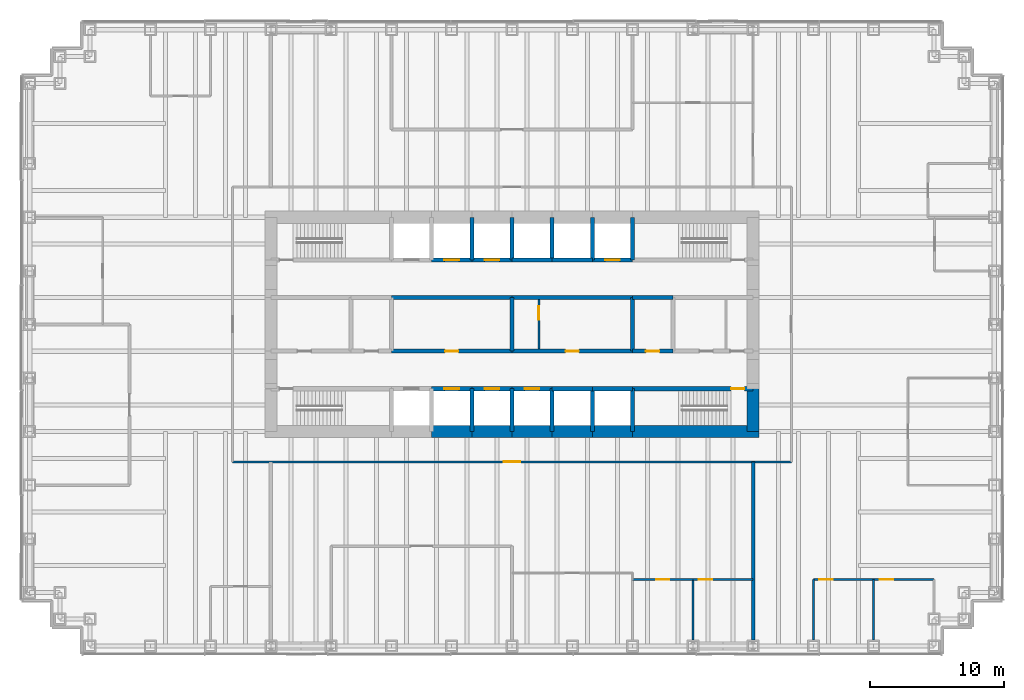
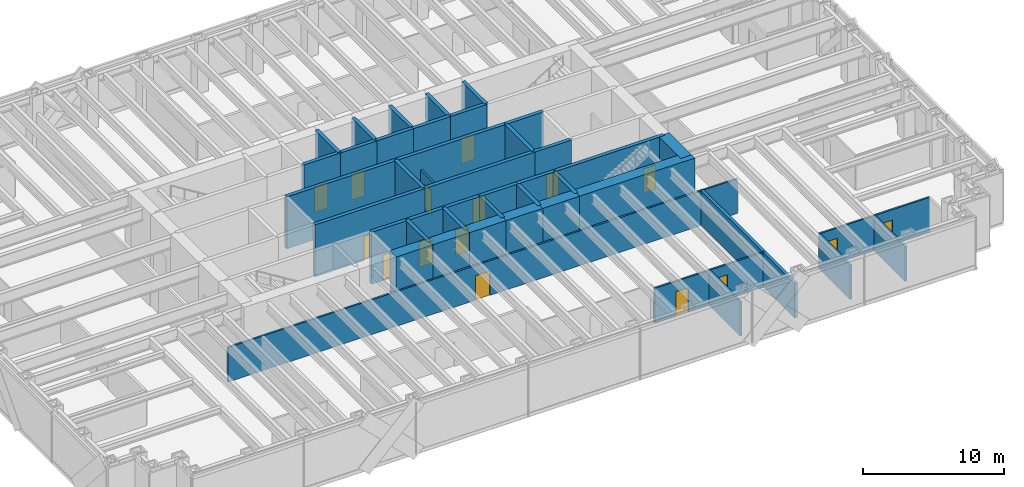
# One storey, part 10 of 13: 45 walls, 16 doors, 16 openings.
"""IFC4 building model written with IfcOpenShell, lengths in metres."""

from ifc_helpers import new_model, si_unit, direction, frame, frame_2d, origin, place, context, subcontext, project, spatial, rectangle, extrude, material, layer, layer_set, type_object, element, fill, save


model = new_model("IFC4")

# Units and contexts
model_context = context("Model", 3, precision=1e-05, world=origin(), true_north=direction((0.0, 1.0)))
body_context = subcontext(model_context, "Body", "Model", "MODEL_VIEW")
ifc_project = project(units=[si_unit("LENGTHUNIT", "METRE"), si_unit("AREAUNIT", "SQUARE_METRE"), si_unit("VOLUMEUNIT", "CUBIC_METRE"), si_unit("PLANEANGLEUNIT", "RADIAN"), si_unit("MASSUNIT", "GRAM", prefix="KILO")], contexts=[model_context])

# Site, building, storey
site_placement = place(None, origin())
site = spatial("IfcSite", under=ifc_project, at=site_placement, CompositionType="ELEMENT")
building_placement = place(site_placement, origin())
building = spatial("IfcBuilding", under=site, at=building_placement, Name="Rheinbord Bourse Tower", CompositionType="ELEMENT")
storey_placement = place(building_placement, frame((0.0, 0.0, 77.0)))
storey = spatial("IfcBuildingStorey", under=building, at=storey_placement, Name="L16", CompositionType="ELEMENT", Elevation=77.0)

# Wall, opening, door
ifc_material_1 = material(Name="Concrete C50/60", Category="concrete")
ifc_layer_1 = layer(ifc_material_1, 0.300048828125)
ifc_layer_set_1 = layer_set([ifc_layer_1], Name="CORE INNER WALL 300")
wall_type_1 = type_object("IfcWallType", Name="CORE INNER WALL 300", PredefinedType="SOLIDWALL", material=ifc_layer_set_1)
wall_1_placement = place(storey_placement, frame((30.0, 19.199951171875, 0.0), z_axis=(0.0, 0.0, 1.0), x_axis=(1.0, 0.0, 0.0)))
wall_1 = element("IfcWall", 1, at=wall_1_placement, inside=storey, type_object=wall_type_1, Name="Core wall A3 L16", PredefinedType="SOLIDWALL", context=body_context, shape_type="SweptSolid", body=[
    extrude(rectangle(XDim=3.0, YDim=0.300048828125, at=frame_2d((1.5, 0.0))), origin(), (0.0, 0.0, 1.0), 4.5),
])
opening_1_placement = place(wall_1_placement, frame((0.949951171875, 0.0, 0.0)))
opening_1 = element("IfcOpeningElement", 2, at=opening_1_placement, cuts=wall_1, Name="Opening PA1", PredefinedType="OPENING", context=body_context, shape_type="SweptSolid", body=[
    extrude(rectangle(XDim=1.10009765625, YDim=2.199951171875, at=frame_2d((0.550048828125, 1.10009765625))), frame((0.0, 0.159912109375, 0.0), z_axis=(0.0, -1.0, 0.0), x_axis=(1.0, 0.0, 0.0)), (0.0, 0.0, 1.0), 0.320068359375),
])
ifc_material_2 = material(Name="Steel landing door", Category="steel")
door_type_1 = type_object("IfcDoorType", Name="LIFT LANDING DOOR 1100", OperationType="DOUBLE_DOOR_SLIDING", PredefinedType="USERDEFINED", material=ifc_material_2)
door_1_placement = place(opening_1_placement, origin())
door_1 = element("IfcDoor", 3, at=door_1_placement, inside=storey, type_object=door_type_1, Name="Lift landing door PA1 L16", ObjectType="LIFT LANDING DOOR", OperationType="DOUBLE_DOOR_SLIDING", OverallHeight=2.199951171875, OverallWidth=1.10009765625, PredefinedType="USERDEFINED", context=body_context, shape_type="SweptSolid", body=[
    extrude(rectangle(XDim=1.10009765625, YDim=2.199951171875, at=frame_2d((0.550048828125, 1.10009765625))), frame((0.0, 0.02490234375, 0.0), z_axis=(0.0, -1.0, 0.0), x_axis=(1.0, 0.0, 0.0)), (0.0, 0.0, 1.0), 0.050048828125),
])
fill(opening_1, door_1)

wall_2_placement = place(storey_placement, frame((33.0, 19.199951171875, 0.0), z_axis=(0.0, 0.0, 1.0), x_axis=(1.0, 0.0, 0.0)))
wall_2 = element("IfcWall", 4, at=wall_2_placement, inside=storey, type_object=wall_type_1, Name="Core wall A4 L16", PredefinedType="SOLIDWALL", context=body_context, shape_type="SweptSolid", body=[
    extrude(rectangle(XDim=3.0, YDim=0.300048828125, at=frame_2d((1.5, 0.0))), origin(), (0.0, 0.0, 1.0), 4.5),
])
opening_2_placement = place(wall_2_placement, frame((0.949951171875, 0.0, 0.0)))
opening_2 = element("IfcOpeningElement", 5, at=opening_2_placement, cuts=wall_2, Name="Opening PA2", PredefinedType="OPENING", context=body_context, shape_type="SweptSolid", body=[
    extrude(rectangle(XDim=1.10009765625, YDim=2.199951171875, at=frame_2d((0.550048828125, 1.10009765625))), frame((0.0, 0.159912109375, 0.0), z_axis=(0.0, -1.0, 0.0), x_axis=(1.0, 0.0, 0.0)), (0.0, 0.0, 1.0), 0.320068359375),
])
door_2_placement = place(opening_2_placement, origin())
door_2 = element("IfcDoor", 6, at=door_2_placement, inside=storey, type_object=door_type_1, Name="Lift landing door PA2 L16", ObjectType="LIFT LANDING DOOR", OperationType="DOUBLE_DOOR_SLIDING", OverallHeight=2.199951171875, OverallWidth=1.10009765625, PredefinedType="USERDEFINED", context=body_context, shape_type="SweptSolid", body=[
    extrude(rectangle(XDim=1.10009765625, YDim=2.199951171875, at=frame_2d((0.550048828125, 1.10009765625))), frame((0.0, 0.02490234375, 0.0), z_axis=(0.0, -1.0, 0.0), x_axis=(1.0, 0.0, 0.0)), (0.0, 0.0, 1.0), 0.050048828125),
])
fill(opening_2, door_2)

wall_3_placement = place(storey_placement, frame((36.0, 19.199951171875, 0.0), z_axis=(0.0, 0.0, 1.0), x_axis=(1.0, 0.0, 0.0)))
wall_3 = element("IfcWall", 7, at=wall_3_placement, inside=storey, type_object=wall_type_1, Name="Core wall A5 L16", PredefinedType="SOLIDWALL", context=body_context, shape_type="SweptSolid", body=[
    extrude(rectangle(XDim=3.0, YDim=0.300048828125, at=frame_2d((1.5, 0.0))), origin(), (0.0, 0.0, 1.0), 4.5),
])
opening_3_placement = place(wall_3_placement, frame((0.949951171875, 0.0, 0.0)))
opening_3 = element("IfcOpeningElement", 8, at=opening_3_placement, cuts=wall_3, Name="Opening PA3", PredefinedType="OPENING", context=body_context, shape_type="SweptSolid", body=[
    extrude(rectangle(XDim=1.10009765625, YDim=2.199951171875, at=frame_2d((0.550048828125, 1.10009765625))), frame((0.0, 0.159912109375, 0.0), z_axis=(0.0, -1.0, 0.0), x_axis=(1.0, 0.0, 0.0)), (0.0, 0.0, 1.0), 0.320068359375),
])
door_3_placement = place(opening_3_placement, origin())
door_3 = element("IfcDoor", 9, at=door_3_placement, inside=storey, type_object=door_type_1, Name="Lift landing door PA3 L16", ObjectType="LIFT LANDING DOOR", OperationType="DOUBLE_DOOR_SLIDING", OverallHeight=2.199951171875, OverallWidth=1.10009765625, PredefinedType="USERDEFINED", context=body_context, shape_type="SweptSolid", body=[
    extrude(rectangle(XDim=1.10009765625, YDim=2.199951171875, at=frame_2d((0.550048828125, 1.10009765625))), frame((0.0, 0.02490234375, 0.0), z_axis=(0.0, -1.0, 0.0), x_axis=(1.0, 0.0, 0.0)), (0.0, 0.0, 1.0), 0.050048828125),
])
fill(opening_3, door_3)

# Walls
for number, where, z_axis, x_axis, name in (
    (10, (39.0, 19.199951171875, 0.0), (0.0, 0.0, 1.0), (1.0, 0.0, 0.0), "Core wall A6 L16"),
    (11, (42.0, 19.199951171875, 0.0), (0.0, 0.0, 1.0), (1.0, 0.0, 0.0), "Core wall A7 L16"),
):
    element("IfcWall", number, at=place(storey_placement, frame(where, z_axis=z_axis, x_axis=x_axis)), inside=storey, type_object=wall_type_1, Name=name, PredefinedType="SOLIDWALL", context=body_context, shape_type="SweptSolid", body=[
        extrude(rectangle(XDim=3.0, YDim=0.300048828125, at=frame_2d((1.5, 0.0))), origin(), (0.0, 0.0, 1.0), 4.5),
    ])

# Wall, opening, door
wall_4_placement = place(storey_placement, frame((45.0, 19.199951171875, 0.0), z_axis=(0.0, 0.0, 1.0), x_axis=(1.0, 0.0, 0.0)))
wall_4 = element("IfcWall", 12, at=wall_4_placement, inside=storey, type_object=wall_type_1, Name="Core wall A8 L16", PredefinedType="SOLIDWALL", context=body_context, shape_type="SweptSolid", body=[
    extrude(rectangle(XDim=9.0, YDim=0.300048828125, at=frame_2d((4.5, 0.0))), origin(), (0.0, 0.0, 1.0), 4.5),
])
opening_4_placement = place(wall_4_placement, frame((7.35009765625, 0.0, 0.0)))
opening_4 = element("IfcOpeningElement", 13, at=opening_4_placement, cuts=wall_4, Name="Opening 1630", PredefinedType="OPENING", context=body_context, shape_type="SweptSolid", body=[
    extrude(rectangle(XDim=1.0, YDim=2.10009765625, at=frame_2d((0.5, 1.050048828125))), frame((0.0, 0.159912109375, 0.0), z_axis=(0.0, -1.0, 0.0), x_axis=(1.0, 0.0, 0.0)), (0.0, 0.0, 1.0), 0.320068359375),
])
ifc_material_3 = material(Name="Steel door", Category="steel")
door_type_2 = type_object("IfcDoorType", Name="DOOR 1000 EI30", OperationType="SINGLE_SWING_LEFT", PredefinedType="DOOR", material=ifc_material_3)
door_4_placement = place(opening_4_placement, origin())
door_4 = element("IfcDoor", 14, at=door_4_placement, inside=storey, type_object=door_type_2, Name="Stair door ST3 L16", OperationType="SINGLE_SWING_RIGHT", OverallHeight=2.10009765625, OverallWidth=1.0, PredefinedType="DOOR", context=body_context, shape_type="SweptSolid", body=[
    extrude(rectangle(XDim=1.0, YDim=2.10009765625, at=frame_2d((0.5, 1.050048828125))), frame((0.0, 0.02490234375, 0.0), z_axis=(0.0, -1.0, 0.0), x_axis=(1.0, 0.0, 0.0)), (0.0, 0.0, 1.0), 0.050048828125),
])
fill(opening_4, door_4)

wall_5_placement = place(storey_placement, frame((30.0, 28.800048828125, 0.0), z_axis=(0.0, 0.0, 1.0), x_axis=(1.0, 0.0, 0.0)))
wall_5 = element("IfcWall", 15, at=wall_5_placement, inside=storey, type_object=wall_type_1, Name="Core wall B3 L16", PredefinedType="SOLIDWALL", context=body_context, shape_type="SweptSolid", body=[
    extrude(rectangle(XDim=3.0, YDim=0.300048828125, at=frame_2d((1.5, 0.0))), origin(), (0.0, 0.0, 1.0), 4.5),
])
opening_5_placement = place(wall_5_placement, frame((0.949951171875, 0.0, 0.0)))
opening_5 = element("IfcOpeningElement", 16, at=opening_5_placement, cuts=wall_5, Name="Opening PA4", PredefinedType="OPENING", context=body_context, shape_type="SweptSolid", body=[
    extrude(rectangle(XDim=1.10009765625, YDim=2.199951171875, at=frame_2d((0.550048828125, 1.10009765625))), frame((0.0, 0.159912109375, 0.0), z_axis=(0.0, -1.0, 0.0), x_axis=(1.0, 0.0, 0.0)), (0.0, 0.0, 1.0), 0.320068359375),
])
door_5_placement = place(opening_5_placement, origin())
door_5 = element("IfcDoor", 17, at=door_5_placement, inside=storey, type_object=door_type_1, Name="Lift landing door PA4 L16", ObjectType="LIFT LANDING DOOR", OperationType="DOUBLE_DOOR_SLIDING", OverallHeight=2.199951171875, OverallWidth=1.10009765625, PredefinedType="USERDEFINED", context=body_context, shape_type="SweptSolid", body=[
    extrude(rectangle(XDim=1.10009765625, YDim=2.199951171875, at=frame_2d((0.550048828125, 1.10009765625))), frame((0.0, 0.02490234375, 0.0), z_axis=(0.0, -1.0, 0.0), x_axis=(1.0, 0.0, 0.0)), (0.0, 0.0, 1.0), 0.050048828125),
])
fill(opening_5, door_5)

wall_6_placement = place(storey_placement, frame((33.0, 28.800048828125, 0.0), z_axis=(0.0, 0.0, 1.0), x_axis=(1.0, 0.0, 0.0)))
wall_6 = element("IfcWall", 18, at=wall_6_placement, inside=storey, type_object=wall_type_1, Name="Core wall B4 L16", PredefinedType="SOLIDWALL", context=body_context, shape_type="SweptSolid", body=[
    extrude(rectangle(XDim=3.0, YDim=0.300048828125, at=frame_2d((1.5, 0.0))), origin(), (0.0, 0.0, 1.0), 4.5),
])
opening_6_placement = place(wall_6_placement, frame((0.949951171875, 0.0, 0.0)))
opening_6 = element("IfcOpeningElement", 19, at=opening_6_placement, cuts=wall_6, Name="Opening PA5", PredefinedType="OPENING", context=body_context, shape_type="SweptSolid", body=[
    extrude(rectangle(XDim=1.10009765625, YDim=2.199951171875, at=frame_2d((0.550048828125, 1.10009765625))), frame((0.0, 0.159912109375, 0.0), z_axis=(0.0, -1.0, 0.0), x_axis=(1.0, 0.0, 0.0)), (0.0, 0.0, 1.0), 0.320068359375),
])
door_6_placement = place(opening_6_placement, origin())
door_6 = element("IfcDoor", 20, at=door_6_placement, inside=storey, type_object=door_type_1, Name="Lift landing door PA5 L16", ObjectType="LIFT LANDING DOOR", OperationType="DOUBLE_DOOR_SLIDING", OverallHeight=2.199951171875, OverallWidth=1.10009765625, PredefinedType="USERDEFINED", context=body_context, shape_type="SweptSolid", body=[
    extrude(rectangle(XDim=1.10009765625, YDim=2.199951171875, at=frame_2d((0.550048828125, 1.10009765625))), frame((0.0, 0.02490234375, 0.0), z_axis=(0.0, -1.0, 0.0), x_axis=(1.0, 0.0, 0.0)), (0.0, 0.0, 1.0), 0.050048828125),
])
fill(opening_6, door_6)

# Walls
for number, where, z_axis, x_axis, name in (
    (21, (36.0, 28.800048828125, 0.0), (0.0, 0.0, 1.0), (1.0, 0.0, 0.0), "Core wall B5 L16"),
    (22, (39.0, 28.800048828125, 0.0), (0.0, 0.0, 1.0), (1.0, 0.0, 0.0), "Core wall B6 L16"),
):
    element("IfcWall", number, at=place(storey_placement, frame(where, z_axis=z_axis, x_axis=x_axis)), inside=storey, type_object=wall_type_1, Name=name, PredefinedType="SOLIDWALL", context=body_context, shape_type="SweptSolid", body=[
        extrude(rectangle(XDim=3.0, YDim=0.300048828125, at=frame_2d((1.5, 0.0))), origin(), (0.0, 0.0, 1.0), 4.5),
    ])

# Wall, opening, door
wall_7_placement = place(storey_placement, frame((42.0, 28.800048828125, 0.0), z_axis=(0.0, 0.0, 1.0), x_axis=(1.0, 0.0, 0.0)))
wall_7 = element("IfcWall", 23, at=wall_7_placement, inside=storey, type_object=wall_type_1, Name="Core wall B7 L16", PredefinedType="SOLIDWALL", context=body_context, shape_type="SweptSolid", body=[
    extrude(rectangle(XDim=3.0, YDim=0.300048828125, at=frame_2d((1.5, 0.0))), origin(), (0.0, 0.0, 1.0), 4.5),
])
opening_7_placement = place(wall_7_placement, frame((0.949951171875, 0.0, 0.0)))
opening_7 = element("IfcOpeningElement", 24, at=opening_7_placement, cuts=wall_7, Name="Opening FL2", PredefinedType="OPENING", context=body_context, shape_type="SweptSolid", body=[
    extrude(rectangle(XDim=1.10009765625, YDim=2.199951171875, at=frame_2d((0.550048828125, 1.10009765625))), frame((0.0, 0.159912109375, 0.0), z_axis=(0.0, -1.0, 0.0), x_axis=(1.0, 0.0, 0.0)), (0.0, 0.0, 1.0), 0.320068359375),
])
door_7_placement = place(opening_7_placement, origin())
door_7 = element("IfcDoor", 25, at=door_7_placement, inside=storey, type_object=door_type_1, Name="Lift landing door FL2 L16", ObjectType="LIFT LANDING DOOR", OperationType="DOUBLE_DOOR_SLIDING", OverallHeight=2.199951171875, OverallWidth=1.10009765625, PredefinedType="USERDEFINED", context=body_context, shape_type="SweptSolid", body=[
    extrude(rectangle(XDim=1.10009765625, YDim=2.199951171875, at=frame_2d((0.550048828125, 1.10009765625))), frame((0.0, 0.02490234375, 0.0), z_axis=(0.0, -1.0, 0.0), x_axis=(1.0, 0.0, 0.0)), (0.0, 0.0, 1.0), 0.050048828125),
])
fill(opening_7, door_7)

wall_8_placement = place(storey_placement, frame((27.0, 22.0, 0.0), z_axis=(0.0, 0.0, 1.0), x_axis=(1.0, 0.0, 0.0)))
wall_8 = element("IfcWall", 26, at=wall_8_placement, inside=storey, type_object=wall_type_1, Name="Core wall C3 L16", PredefinedType="SOLIDWALL", context=body_context, shape_type="SweptSolid", body=[
    extrude(rectangle(XDim=9.0, YDim=0.300048828125, at=frame_2d((4.5, 0.0))), origin(), (0.0, 0.0, 1.0), 4.5),
])
opening_8_placement = place(wall_8_placement, frame((4.0, 0.0, 0.0)))
opening_8 = element("IfcOpeningElement", 27, at=opening_8_placement, cuts=wall_8, Name="Opening 16R3", PredefinedType="OPENING", context=body_context, shape_type="SweptSolid", body=[
    extrude(rectangle(XDim=1.0, YDim=2.10009765625, at=frame_2d((0.5, 1.050048828125))), frame((0.0, 0.159912109375, 0.0), z_axis=(0.0, -1.0, 0.0), x_axis=(1.0, 0.0, 0.0)), (0.0, 0.0, 1.0), 0.320068359375),
])
door_8_placement = place(opening_8_placement, origin())
door_8 = element("IfcDoor", 28, at=door_8_placement, inside=storey, type_object=door_type_2, Name="Riser door L16", OperationType="SINGLE_SWING_LEFT", OverallHeight=2.10009765625, OverallWidth=1.0, PredefinedType="DOOR", context=body_context, shape_type="SweptSolid", body=[
    extrude(rectangle(XDim=1.0, YDim=2.10009765625, at=frame_2d((0.5, 1.050048828125))), frame((0.0, 0.02490234375, 0.0), z_axis=(0.0, -1.0, 0.0), x_axis=(1.0, 0.0, 0.0)), (0.0, 0.0, 1.0), 0.050048828125),
])
fill(opening_8, door_8)

wall_9_placement = place(storey_placement, frame((36.0, 22.0, 0.0), z_axis=(0.0, 0.0, 1.0), x_axis=(1.0, 0.0, 0.0)))
wall_9 = element("IfcWall", 29, at=wall_9_placement, inside=storey, type_object=wall_type_1, Name="Core wall C4 L16", PredefinedType="SOLIDWALL", context=body_context, shape_type="SweptSolid", body=[
    extrude(rectangle(XDim=9.0, YDim=0.300048828125, at=frame_2d((4.5, 0.0))), origin(), (0.0, 0.0, 1.0), 4.5),
])
opening_9_placement = place(wall_9_placement, frame((4.0, 0.0, 0.0)))
opening_9 = element("IfcOpeningElement", 30, at=opening_9_placement, cuts=wall_9, Name="Opening 16R4", PredefinedType="OPENING", context=body_context, shape_type="SweptSolid", body=[
    extrude(rectangle(XDim=1.0, YDim=2.10009765625, at=frame_2d((0.5, 1.050048828125))), frame((0.0, 0.159912109375, 0.0), z_axis=(0.0, -1.0, 0.0), x_axis=(1.0, 0.0, 0.0)), (0.0, 0.0, 1.0), 0.320068359375),
])
door_9_placement = place(opening_9_placement, origin())
door_9 = element("IfcDoor", 31, at=door_9_placement, inside=storey, type_object=door_type_2, Name="Staff locker room door L16", OperationType="SINGLE_SWING_LEFT", OverallHeight=2.10009765625, OverallWidth=1.0, PredefinedType="DOOR", context=body_context, shape_type="SweptSolid", body=[
    extrude(rectangle(XDim=1.0, YDim=2.10009765625, at=frame_2d((0.5, 1.050048828125))), frame((0.0, 0.02490234375, 0.0), z_axis=(0.0, -1.0, 0.0), x_axis=(1.0, 0.0, 0.0)), (0.0, 0.0, 1.0), 0.050048828125),
])
fill(opening_9, door_9)

wall_10_placement = place(storey_placement, frame((45.0, 22.0, 0.0), z_axis=(0.0, 0.0, 1.0), x_axis=(1.0, 0.0, 0.0)))
wall_10 = element("IfcWall", 32, at=wall_10_placement, inside=storey, type_object=wall_type_1, Name="Core wall C5 L16", PredefinedType="SOLIDWALL", context=body_context, shape_type="SweptSolid", body=[
    extrude(rectangle(XDim=3.0, YDim=0.300048828125, at=frame_2d((1.5, 0.0))), origin(), (0.0, 0.0, 1.0), 4.5),
])
opening_10_placement = place(wall_10_placement, frame((1.0, 0.0, 0.0)))
opening_10 = element("IfcOpeningElement", 33, at=opening_10_placement, cuts=wall_10, Name="Opening 16R5", PredefinedType="OPENING", context=body_context, shape_type="SweptSolid", body=[
    extrude(rectangle(XDim=1.0, YDim=2.10009765625, at=frame_2d((0.5, 1.050048828125))), frame((0.0, 0.159912109375, 0.0), z_axis=(0.0, -1.0, 0.0), x_axis=(1.0, 0.0, 0.0)), (0.0, 0.0, 1.0), 0.320068359375),
])
ifc_material_4 = material(Name="Timber door", Category="wood")
door_type_3 = type_object("IfcDoorType", Name="DOOR 1000 WC", OperationType="SINGLE_SWING_LEFT", PredefinedType="DOOR", material=ifc_material_4)
door_10_placement = place(opening_10_placement, origin())
door_10 = element("IfcDoor", 34, at=door_10_placement, inside=storey, type_object=door_type_3, Name="Accessible WC door L16", OperationType="SINGLE_SWING_LEFT", OverallHeight=2.10009765625, OverallWidth=1.0, PredefinedType="DOOR", context=body_context, shape_type="SweptSolid", body=[
    extrude(rectangle(XDim=1.0, YDim=2.10009765625, at=frame_2d((0.5, 1.050048828125))), frame((0.0, 0.02490234375, 0.0), z_axis=(0.0, -1.0, 0.0), x_axis=(1.0, 0.0, 0.0)), (0.0, 0.0, 1.0), 0.050048828125),
])
fill(opening_10, door_10)

# Walls
for number, where, z_axis, x_axis, name in (
    (35, (27.0, 26.0, 0.0), (0.0, 0.0, 1.0), (1.0, 0.0, 0.0), "Core wall D3 L16"),
    (36, (36.0, 26.0, 0.0), (0.0, 0.0, 1.0), (1.0, 0.0, 0.0), "Core wall D4 L16"),
):
    element("IfcWall", number, at=place(storey_placement, frame(where, z_axis=z_axis, x_axis=x_axis)), inside=storey, type_object=wall_type_1, Name=name, PredefinedType="SOLIDWALL", context=body_context, shape_type="SweptSolid", body=[
        extrude(rectangle(XDim=9.0, YDim=0.300048828125, at=frame_2d((4.5, 0.0))), origin(), (0.0, 0.0, 1.0), 4.5),
    ])
wall_11_placement = place(storey_placement, frame((45.0, 26.0, 0.0), z_axis=(0.0, 0.0, 1.0), x_axis=(1.0, 0.0, 0.0)))
element("IfcWall", 37, at=wall_11_placement, inside=storey, type_object=wall_type_1, Name="Core wall D5 L16", PredefinedType="SOLIDWALL", context=body_context, shape_type="SweptSolid", body=[
    extrude(rectangle(XDim=3.0, YDim=0.300048828125, at=frame_2d((1.5, 0.0))), origin(), (0.0, 0.0, 1.0), 4.5),
])
for number, where, z_axis, x_axis, name in (
    (38, (33.0, 16.0, 0.0), (0.0, 0.0, 1.0), (0.0, 1.0, 0.0), "Core wall SX33 L16"),
    (39, (33.0, 28.800048828125, 0.0), (0.0, 0.0, 1.0), (0.0, 1.0, 0.0), "Core wall NX33 L16"),
    (40, (36.0, 16.0, 0.0), (0.0, 0.0, 1.0), (0.0, 1.0, 0.0), "Core wall SX36 L16"),
    (41, (36.0, 28.800048828125, 0.0), (0.0, 0.0, 1.0), (0.0, 1.0, 0.0), "Core wall NX36 L16"),
    (42, (39.0, 16.0, 0.0), (0.0, 0.0, 1.0), (0.0, 1.0, 0.0), "Core wall SX39 L16"),
    (43, (39.0, 28.800048828125, 0.0), (0.0, 0.0, 1.0), (0.0, 1.0, 0.0), "Core wall NX39 L16"),
    (44, (42.0, 16.0, 0.0), (0.0, 0.0, 1.0), (0.0, 1.0, 0.0), "Core wall SX42 L16"),
    (45, (42.0, 28.800048828125, 0.0), (0.0, 0.0, 1.0), (0.0, 1.0, 0.0), "Core wall NX42 L16"),
    (46, (45.0, 16.0, 0.0), (0.0, 0.0, 1.0), (0.0, 1.0, 0.0), "Core wall SX45 L16"),
    (47, (45.0, 28.800048828125, 0.0), (0.0, 0.0, 1.0), (0.0, 1.0, 0.0), "Core wall NX45 L16"),
):
    element("IfcWall", number, at=place(storey_placement, frame(where, z_axis=z_axis, x_axis=x_axis)), inside=storey, type_object=wall_type_1, Name=name, PredefinedType="SOLIDWALL", context=body_context, shape_type="SweptSolid", body=[
        extrude(rectangle(XDim=3.199951171875, YDim=0.300048828125, at=frame_2d((1.60009765625, 0.0))), origin(), (0.0, 0.0, 1.0), 4.5),
    ])
for number, where, z_axis, x_axis, name in (
    (48, (36.0, 22.0, 0.0), (0.0, 0.0, 1.0), (0.0, 1.0, 0.0), "Core wall MX36 L16"),
    (49, (45.0, 22.0, 0.0), (0.0, 0.0, 1.0), (0.0, 1.0, 0.0), "Core wall MX45 L16"),
):
    element("IfcWall", number, at=place(storey_placement, frame(where, z_axis=z_axis, x_axis=x_axis)), inside=storey, type_object=wall_type_1, Name=name, PredefinedType="SOLIDWALL", context=body_context, shape_type="SweptSolid", body=[
        extrude(rectangle(XDim=4.0, YDim=0.300048828125, at=frame_2d((2.0, 0.0))), origin(), (0.0, 0.0, 1.0), 4.5),
    ])

# Wall, opening, door
ifc_material_5 = material(Name="Gypsum board fire partition", Category="gypsum board")
ifc_layer_2 = layer(ifc_material_5, 0.14990234375)
ifc_layer_set_2 = layer_set([ifc_layer_2], Name="CORE PARTITION 150 EI30")
wall_type_2 = type_object("IfcWallType", Name="CORE PARTITION 150 EI30", PredefinedType="PARTITIONING", material=ifc_layer_set_2)
wall_12_placement = place(storey_placement, frame((38.0, 22.14990234375, 0.0), z_axis=(0.0, 0.0, 1.0), x_axis=(0.0, 1.0, 0.0)))
wall_12 = element("IfcWall", 50, at=wall_12_placement, inside=storey, type_object=wall_type_2, Name="Core partition L16-1", PredefinedType="PARTITIONING", context=body_context, shape_type="SweptSolid", body=[
    extrude(rectangle(XDim=3.7001953125, YDim=0.14990234375, at=frame_2d((1.85009765625, 0.0))), origin(), (0.0, 0.0, 1.0), 3.0),
])
opening_11_placement = place(wall_12_placement, frame((2.199951171875, 0.0, 0.0)))
opening_11 = element("IfcOpeningElement", 51, at=opening_11_placement, cuts=wall_12, Name="Opening 16R7", PredefinedType="OPENING", context=body_context, shape_type="SweptSolid", body=[
    extrude(rectangle(XDim=1.0, YDim=2.10009765625, at=frame_2d((0.5, 1.050048828125))), frame((0.0, 0.0849609375, 0.0), z_axis=(0.0, -1.0, 0.0), x_axis=(1.0, 0.0, 0.0)), (0.0, 0.0, 1.0), 0.169921875),
])
door_11_placement = place(opening_11_placement, origin())
door_11 = element("IfcDoor", 52, at=door_11_placement, inside=storey, type_object=door_type_2, Name="Staff shower door L16", OperationType="SINGLE_SWING_RIGHT", OverallHeight=2.10009765625, OverallWidth=1.0, PredefinedType="DOOR", context=body_context, shape_type="SweptSolid", body=[
    extrude(rectangle(XDim=1.0, YDim=2.10009765625, at=frame_2d((0.5, 1.050048828125))), frame((0.0, 0.02490234375, 0.0), z_axis=(0.0, -1.0, 0.0), x_axis=(1.0, 0.0, 0.0)), (0.0, 0.0, 1.0), 0.050048828125),
])
fill(opening_11, door_11)

# Walls
ifc_material_6 = material(Name="Concrete C50/60", Category="concrete")
ifc_layer_3 = layer(ifc_material_6, 0.89990234375)
ifc_layer_set_3 = layer_set([ifc_layer_3], Name="CORE WALL 900")
wall_type_3 = type_object("IfcWallType", Name="CORE WALL 900", PredefinedType="SHEAR", material=ifc_layer_set_3)
for number, where, z_axis, x_axis, name in (
    (53, (30.0, 16.0, 0.0), (0.0, 0.0, 1.0), (1.0, 0.0, 0.0), "Core wall S3 L16"),
    (54, (33.0, 16.0, 0.0), (0.0, 0.0, 1.0), (1.0, 0.0, 0.0), "Core wall S4 L16"),
    (55, (36.0, 16.0, 0.0), (0.0, 0.0, 1.0), (1.0, 0.0, 0.0), "Core wall S5 L16"),
    (56, (39.0, 16.0, 0.0), (0.0, 0.0, 1.0), (1.0, 0.0, 0.0), "Core wall S6 L16"),
    (57, (42.0, 16.0, 0.0), (0.0, 0.0, 1.0), (1.0, 0.0, 0.0), "Core wall S7 L16"),
):
    element("IfcWall", number, at=place(storey_placement, frame(where, z_axis=z_axis, x_axis=x_axis)), inside=storey, type_object=wall_type_3, Name=name, PredefinedType="SHEAR", context=body_context, shape_type="SweptSolid", body=[
        extrude(rectangle(XDim=3.0, YDim=0.89990234375, at=frame_2d((1.5, 0.0))), origin(), (0.0, 0.0, 1.0), 4.5),
    ])
wall_13_placement = place(storey_placement, frame((45.0, 16.0, 0.0), z_axis=(0.0, 0.0, 1.0), x_axis=(1.0, 0.0, 0.0)))
element("IfcWall", 58, at=wall_13_placement, inside=storey, type_object=wall_type_3, Name="Core wall S8 L16", PredefinedType="SHEAR", context=body_context, shape_type="SweptSolid", body=[
    extrude(rectangle(XDim=9.449951171875, YDim=0.89990234375, at=frame_2d((4.72509765625, 0.0))), origin(), (0.0, 0.0, 1.0), 4.5),
])
wall_14_placement = place(storey_placement, frame((54.0, 16.0, 0.0), z_axis=(0.0, 0.0, 1.0), x_axis=(0.0, 1.0, 0.0)))
element("IfcWall", 59, at=wall_14_placement, inside=storey, type_object=wall_type_3, Name="Core wall E1 L16", PredefinedType="SHEAR", context=body_context, shape_type="SweptSolid", body=[
    extrude(rectangle(XDim=3.199951171875, YDim=0.89990234375, at=frame_2d((1.60009765625, 0.0))), origin(), (0.0, 0.0, 1.0), 4.5),
])

# Wall, opening, door
ifc_material_7 = material(Name="Gypsum board corridor partition", Category="gypsum board")
ifc_layer_4 = layer(ifc_material_7, 0.14990234375)
ifc_layer_set_4 = layer_set([ifc_layer_4], Name="CORRIDOR PARTITION 150 EI30")
wall_type_4 = type_object("IfcWallType", Name="CORRIDOR PARTITION 150 EI30", PredefinedType="PARTITIONING", material=ifc_layer_set_4)
wall_15_placement = place(storey_placement, frame((15.14990234375, 13.75, 0.0), z_axis=(0.0, 0.0, 1.0), x_axis=(1.0, 0.0, 0.0)))
wall_15 = element("IfcWall", 60, at=wall_15_placement, inside=storey, type_object=wall_type_4, Name="Partition L16-09", PredefinedType="PARTITIONING", context=body_context, shape_type="SweptSolid", body=[
    extrude(rectangle(XDim=41.7001953125, YDim=0.14990234375, at=frame_2d((20.85009765625, 0.0))), origin(), (0.0, 0.0, 1.0), 3.0),
])
opening_12_placement = place(wall_15_placement, frame((20.25, 0.0, 0.0)))
opening_12 = element("IfcOpeningElement", 61, at=opening_12_placement, cuts=wall_15, Name="Opening 16D18", PredefinedType="OPENING", context=body_context, shape_type="SweptSolid", body=[
    extrude(rectangle(XDim=1.199951171875, YDim=2.10009765625, at=frame_2d((0.60009765625, 1.050048828125))), frame((0.0, 0.0849609375, 0.0), z_axis=(0.0, -1.0, 0.0), x_axis=(1.0, 0.0, 0.0)), (0.0, 0.0, 1.0), 0.169921875),
])
ifc_material_8 = material(Name="Timber fire door", Category="wood")
door_type_4 = type_object("IfcDoorType", Name="SUITE ENTRANCE DOOR 1200 EI30", OperationType="SINGLE_SWING_LEFT", PredefinedType="DOOR", material=ifc_material_8)
door_12_placement = place(opening_12_placement, origin())
door_12 = element("IfcDoor", 62, at=door_12_placement, inside=storey, type_object=door_type_4, Name="Suite entrance 2 door L16", OperationType="SINGLE_SWING_LEFT", OverallHeight=2.10009765625, OverallWidth=1.199951171875, PredefinedType="DOOR", context=body_context, shape_type="SweptSolid", body=[
    extrude(rectangle(XDim=1.199951171875, YDim=2.10009765625, at=frame_2d((0.60009765625, 1.050048828125))), frame((0.0, 0.02490234375, 0.0), z_axis=(0.0, -1.0, 0.0), x_axis=(1.0, 0.0, 0.0)), (0.0, 0.0, 1.0), 0.050048828125),
])
fill(opening_12, door_12)

# Wall
ifc_material_9 = material(Name="Gypsum board tenancy wall", Category="gypsum board")
ifc_layer_5 = layer(ifc_material_9, 0.25)
ifc_layer_set_5 = layer_set([ifc_layer_5], Name="DEMISING PARTITION 250 EI60")
wall_type_5 = type_object("IfcWallType", Name="DEMISING PARTITION 250 EI60", PredefinedType="PARTITIONING", material=ifc_layer_set_5)
wall_16_placement = place(storey_placement, frame((54.0, 0.449951171875, 0.0), z_axis=(0.0, 0.0, 1.0), x_axis=(0.0, 1.0, 0.0)))
element("IfcWall", 63, at=wall_16_placement, inside=storey, type_object=wall_type_5, Name="Partition L16-36", PredefinedType="PARTITIONING", context=body_context, shape_type="SweptSolid", body=[
    extrude(rectangle(XDim=13.300048828125, YDim=0.25, at=frame_2d((6.64990234375, 0.0))), origin(), (0.0, 0.0, 1.0), 3.0),
])

# Wall, opening, door
ifc_material_10 = material(Name="Gypsum board fire partition", Category="gypsum board")
ifc_layer_6 = layer(ifc_material_10, 0.14990234375)
ifc_layer_set_6 = layer_set([ifc_layer_6], Name="FIRE PARTITION 150 EI60")
wall_type_6 = type_object("IfcWallType", Name="FIRE PARTITION 150 EI60", PredefinedType="PARTITIONING", material=ifc_layer_set_6)
wall_17_placement = place(storey_placement, frame((45.0, 4.949951171875, 0.0), z_axis=(0.0, 0.0, 1.0), x_axis=(1.0, 0.0, 0.0)))
wall_17 = element("IfcWall", 64, at=wall_17_placement, inside=storey, type_object=wall_type_6, Name="Partition L16-02", PredefinedType="PARTITIONING", context=body_context, shape_type="SweptSolid", body=[
    extrude(rectangle(XDim=4.5, YDim=0.14990234375, at=frame_2d((2.25, 0.0))), origin(), (0.0, 0.0, 1.0), 3.0),
])
opening_13_placement = place(wall_17_placement, frame((1.75, 0.0, 0.0)))
opening_13 = element("IfcOpeningElement", 65, at=opening_13_placement, cuts=wall_17, Name="Opening 16D02", PredefinedType="OPENING", context=body_context, shape_type="SweptSolid", body=[
    extrude(rectangle(XDim=1.0, YDim=2.10009765625, at=frame_2d((0.5, 1.050048828125))), frame((0.0, 0.0849609375, 0.0), z_axis=(0.0, -1.0, 0.0), x_axis=(1.0, 0.0, 0.0)), (0.0, 0.0, 1.0), 0.169921875),
])
ifc_material_11 = material(Name="Timber fire door", Category="wood")
door_type_5 = type_object("IfcDoorType", Name="FIRE DOOR 1000 EI60", OperationType="SINGLE_SWING_LEFT", PredefinedType="DOOR", material=ifc_material_11)
door_13_placement = place(opening_13_placement, origin())
door_13 = element("IfcDoor", 66, at=door_13_placement, inside=storey, type_object=door_type_5, Name="Comms room door L16", OperationType="SINGLE_SWING_LEFT", OverallHeight=2.10009765625, OverallWidth=1.0, PredefinedType="DOOR", context=body_context, shape_type="SweptSolid", body=[
    extrude(rectangle(XDim=1.0, YDim=2.10009765625, at=frame_2d((0.5, 1.050048828125))), frame((0.0, 0.02490234375, 0.0), z_axis=(0.0, -1.0, 0.0), x_axis=(1.0, 0.0, 0.0)), (0.0, 0.0, 1.0), 0.050048828125),
])
fill(opening_13, door_13)

# Wall
wall_18_placement = place(storey_placement, frame((49.5, 0.449951171875, 0.0), z_axis=(0.0, 0.0, 1.0), x_axis=(0.0, 1.0, 0.0)))
element("IfcWall", 67, at=wall_18_placement, inside=storey, type_object=wall_type_6, Name="Partition L16-35", PredefinedType="PARTITIONING", context=body_context, shape_type="SweptSolid", body=[
    extrude(rectangle(XDim=4.5, YDim=0.14990234375, at=frame_2d((2.25, 0.0))), origin(), (0.0, 0.0, 1.0), 3.0),
])

# Wall, opening, door
ifc_material_12 = material(Name="Gypsum board partition", Category="gypsum board")
ifc_layer_7 = layer(ifc_material_12, 0.14990234375)
ifc_layer_set_7 = layer_set([ifc_layer_7], Name="PARTITION 150")
wall_type_7 = type_object("IfcWallType", Name="PARTITION 150", PredefinedType="PARTITIONING", material=ifc_layer_set_7)
wall_19_placement = place(storey_placement, frame((49.5, 4.949951171875, 0.0), z_axis=(0.0, 0.0, 1.0), x_axis=(1.0, 0.0, 0.0)))
wall_19 = element("IfcWall", 68, at=wall_19_placement, inside=storey, type_object=wall_type_7, Name="Partition L16-03", PredefinedType="PARTITIONING", context=body_context, shape_type="SweptSolid", body=[
    extrude(rectangle(XDim=4.5, YDim=0.14990234375, at=frame_2d((2.25, 0.0))), origin(), (0.0, 0.0, 1.0), 3.0),
])
opening_14_placement = place(wall_19_placement, frame((0.449951171875, 0.0, 0.0)))
opening_14 = element("IfcOpeningElement", 69, at=opening_14_placement, cuts=wall_19, Name="Opening 16D03", PredefinedType="OPENING", context=body_context, shape_type="SweptSolid", body=[
    extrude(rectangle(XDim=1.0, YDim=2.10009765625, at=frame_2d((0.5, 1.050048828125))), frame((0.0, 0.0849609375, 0.0), z_axis=(0.0, -1.0, 0.0), x_axis=(1.0, 0.0, 0.0)), (0.0, 0.0, 1.0), 0.169921875),
])
ifc_material_13 = material(Name="Timber door", Category="wood")
door_type_6 = type_object("IfcDoorType", Name="ROOM DOOR 1000", OperationType="SINGLE_SWING_LEFT", PredefinedType="DOOR", material=ifc_material_13)
door_14_placement = place(opening_14_placement, origin())
door_14 = element("IfcDoor", 70, at=door_14_placement, inside=storey, type_object=door_type_6, Name="Pantry door L16", OperationType="SINGLE_SWING_LEFT", OverallHeight=2.10009765625, OverallWidth=1.0, PredefinedType="DOOR", context=body_context, shape_type="SweptSolid", body=[
    extrude(rectangle(XDim=1.0, YDim=2.10009765625, at=frame_2d((0.5, 1.050048828125))), frame((0.0, 0.02490234375, 0.0), z_axis=(0.0, -1.0, 0.0), x_axis=(1.0, 0.0, 0.0)), (0.0, 0.0, 1.0), 0.050048828125),
])
fill(opening_14, door_14)

# Wall, openings, doors
wall_20_placement = place(storey_placement, frame((58.5, 4.949951171875, 0.0), z_axis=(0.0, 0.0, 1.0), x_axis=(1.0, 0.0, 0.0)))
wall_20 = element("IfcWall", 71, at=wall_20_placement, inside=storey, type_object=wall_type_7, Name="Partition L16-04", PredefinedType="PARTITIONING", context=body_context, shape_type="SweptSolid", body=[
    extrude(rectangle(XDim=9.0, YDim=0.14990234375, at=frame_2d((4.5, 0.0))), origin(), (0.0, 0.0, 1.0), 3.0),
])
opening_15_placement = place(wall_20_placement, frame((0.449951171875, 0.0, 0.0)))
opening_15 = element("IfcOpeningElement", 72, at=opening_15_placement, cuts=wall_20, Name="Opening 16D04", PredefinedType="OPENING", context=body_context, shape_type="SweptSolid", body=[
    extrude(rectangle(XDim=1.0, YDim=2.10009765625, at=frame_2d((0.5, 1.050048828125))), frame((0.0, 0.0849609375, 0.0), z_axis=(0.0, -1.0, 0.0), x_axis=(1.0, 0.0, 0.0)), (0.0, 0.0, 1.0), 0.169921875),
])
opening_16_placement = place(wall_20_placement, frame((4.949951171875, 0.0, 0.0)))
opening_16 = element("IfcOpeningElement", 73, at=opening_16_placement, cuts=wall_20, Name="Opening 16D05", PredefinedType="OPENING", context=body_context, shape_type="SweptSolid", body=[
    extrude(rectangle(XDim=1.0, YDim=2.10009765625, at=frame_2d((0.5, 1.050048828125))), frame((0.0, 0.0849609375, 0.0), z_axis=(0.0, -1.0, 0.0), x_axis=(1.0, 0.0, 0.0)), (0.0, 0.0, 1.0), 0.169921875),
])
door_15_placement = place(opening_15_placement, origin())
door_15 = element("IfcDoor", 74, at=door_15_placement, inside=storey, type_object=door_type_6, Name="Office door L16", OperationType="SINGLE_SWING_LEFT", OverallHeight=2.10009765625, OverallWidth=1.0, PredefinedType="DOOR", context=body_context, shape_type="SweptSolid", body=[
    extrude(rectangle(XDim=1.0, YDim=2.10009765625, at=frame_2d((0.5, 1.050048828125))), frame((0.0, 0.02490234375, 0.0), z_axis=(0.0, -1.0, 0.0), x_axis=(1.0, 0.0, 0.0)), (0.0, 0.0, 1.0), 0.050048828125),
])
fill(opening_15, door_15)
door_16_placement = place(opening_16_placement, origin())
door_16 = element("IfcDoor", 75, at=door_16_placement, inside=storey, type_object=door_type_6, Name="Office door L16", OperationType="SINGLE_SWING_RIGHT", OverallHeight=2.10009765625, OverallWidth=1.0, PredefinedType="DOOR", context=body_context, shape_type="SweptSolid", body=[
    extrude(rectangle(XDim=1.0, YDim=2.10009765625, at=frame_2d((0.5, 1.050048828125))), frame((0.0, 0.02490234375, 0.0), z_axis=(0.0, -1.0, 0.0), x_axis=(1.0, 0.0, 0.0)), (0.0, 0.0, 1.0), 0.050048828125),
])
fill(opening_16, door_16)

# Walls
for number, where, z_axis, x_axis, name in (
    (76, (58.5, 0.449951171875, 0.0), (0.0, 0.0, 1.0), (0.0, 1.0, 0.0), "Partition L16-39"),
    (77, (63.0, 0.449951171875, 0.0), (0.0, 0.0, 1.0), (0.0, 1.0, 0.0), "Partition L16-40"),
):
    element("IfcWall", number, at=place(storey_placement, frame(where, z_axis=z_axis, x_axis=x_axis)), inside=storey, type_object=wall_type_7, Name=name, PredefinedType="PARTITIONING", context=body_context, shape_type="SweptSolid", body=[
        extrude(rectangle(XDim=4.5, YDim=0.14990234375, at=frame_2d((2.25, 0.0))), origin(), (0.0, 0.0, 1.0), 3.0),
    ])

save(model, "model.ifc")
